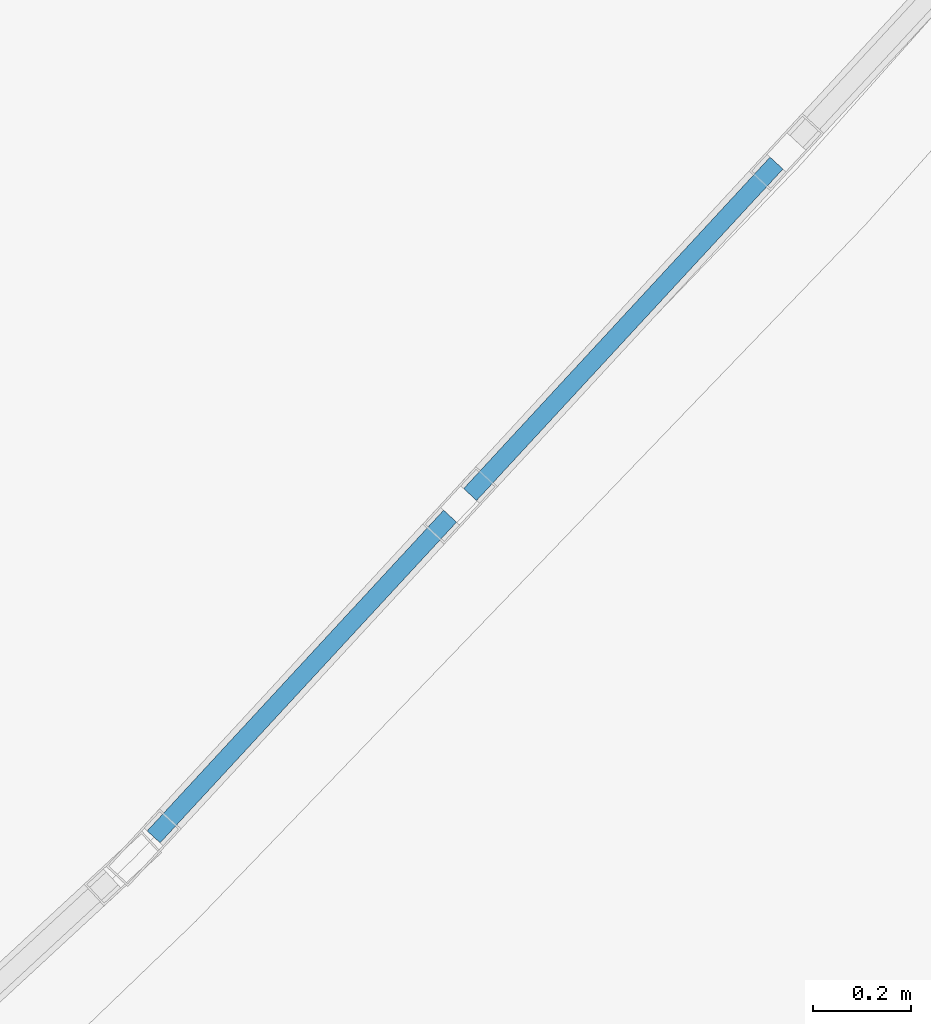
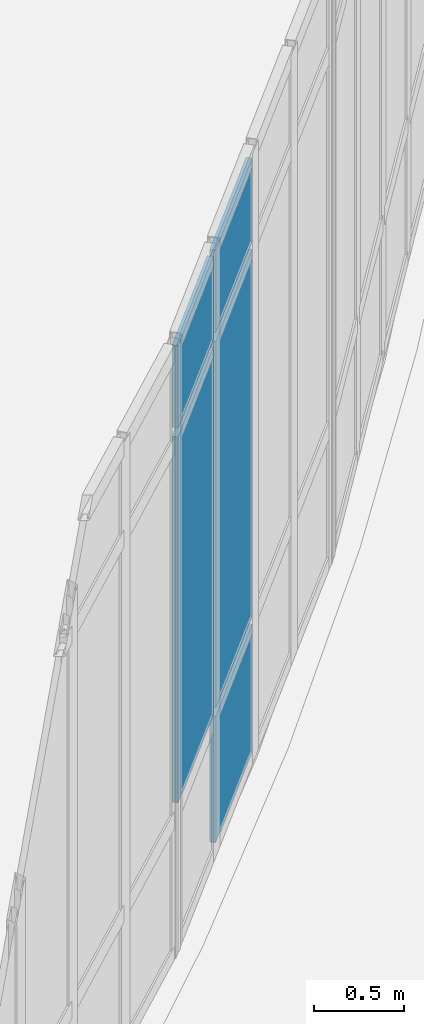
# One storey, part 96 of 134: 5 plates, 1 element without a shape of its own.
"""IFC4 building model written with IfcOpenShell, lengths in metres."""

from ifc_helpers import new_model, si_unit, direction, frame, origin, origin_2d, place, context, subcontext, project, spatial, rectangle, extrude, material, layer, layer_set, type_object, element, aggregate, save


model = new_model("IFC4")

# Units and contexts
model_context = context("Model", 3, precision=1e-05, world=origin(), true_north=direction((0.0, 1.0)))
body_context = subcontext(model_context, "Body", "Model", "MODEL_VIEW")
ifc_project = project(units=[si_unit("LENGTHUNIT", "METRE"), si_unit("AREAUNIT", "SQUARE_METRE"), si_unit("VOLUMEUNIT", "CUBIC_METRE"), si_unit("PLANEANGLEUNIT", "RADIAN"), si_unit("MASSUNIT", "GRAM", prefix="KILO")], contexts=[model_context])

# Site, building, storey
site_placement = place(None, origin())
site = spatial("IfcSite", under=ifc_project, at=site_placement, CompositionType="ELEMENT")
building_placement = place(site_placement, origin())
building = spatial("IfcBuilding", under=site, at=building_placement, Name="Kalluvel Institute of Natural Sciences", CompositionType="ELEMENT")
storey_placement = place(building_placement, frame((0.0, 0.0, 5.39990234375)))
storey = spatial("IfcBuildingStorey", under=building, at=storey_placement, Name="L01", CompositionType="ELEMENT", Elevation=5.39990234375)

# Curtain wall, plates
ifc_material_1 = material(Name="Aluminium AW-6063 T6", Category="aluminium")
curtain_wall_type = type_object("IfcCurtainWallType", Name="CW-ATR-ARC", PredefinedType="USERDEFINED", material=ifc_material_1)
curtain_wall_placement = place(storey_placement, origin())
curtain_wall = element("IfcCurtainWall", 1, at=curtain_wall_placement, inside=storey, type_object=curtain_wall_type, Name="L01 Gothic lancet curtain wall CWA-L01-X709-Y675", ObjectType="UNITISED LANCET FACADE", PredefinedType="USERDEFINED")
ifc_material_2 = material(Name="Solar-Control Low-E Laminated Glass", Category="glass")
ifc_layer = layer(ifc_material_2, 0.035888671875)
ifc_layer_set = layer_set([ifc_layer], Name="Solar-Control Low-E Laminated Glass")
plate_type = type_object("IfcPlateType", Name="CWP-DGU-36", PredefinedType="CURTAIN_PANEL", material=ifc_layer_set)
plate_1_placement = place(storey_placement, frame((71.262939453125, 67.85107421875, 0.97998046875), z_axis=(0.0, 0.0, 1.0), x_axis=(0.678795651006, 0.734327218735, 0.0)))
plate_1 = element("IfcPlate", 2, at=plate_1_placement, type_object=plate_type, Name="CW-05 panel 1.2", PredefinedType="CURTAIN_PANEL", context=body_context, shape_type="SweptSolid", body=[
    extrude(rectangle(XDim=0.890625, YDim=0.035888671875, at=origin_2d()), origin(), (0.0, 0.0, 1.0), 2.489990234375),
])
plate_2_placement = place(storey_placement, frame((71.262939453125, 67.85107421875, 3.530029296875), z_axis=(0.0, 0.0, 1.0), x_axis=(0.678795651006, 0.734327218735, 0.0)))
plate_2 = element("IfcPlate", 3, at=plate_2_placement, type_object=plate_type, Name="CW-05 panel 1.3", PredefinedType="CURTAIN_PANEL", context=body_context, shape_type="SweptSolid", body=[
    extrude(rectangle(XDim=0.890625, YDim=0.035888671875, at=origin_2d()), origin(), (0.0, 0.0, 1.0), 0.56005859375),
])
plate_3_placement = place(storey_placement, frame((71.91845703125, 68.56005859375, 0.06005859375), z_axis=(0.0, 0.0, 1.0), x_axis=(0.678795651006, 0.734327218735, 0.0)))
plate_3 = element("IfcPlate", 4, at=plate_3_placement, type_object=plate_type, Name="CW-05 panel 2.1", PredefinedType="CURTAIN_PANEL", context=body_context, shape_type="SweptSolid", body=[
    extrude(rectangle(XDim=0.92041015625, YDim=0.035888671875, at=origin_2d()), origin(), (0.0, 0.0, 1.0), 0.860107421875),
])
plate_4_placement = place(storey_placement, frame((71.91845703125, 68.56005859375, 0.97998046875), z_axis=(0.0, 0.0, 1.0), x_axis=(0.678795651006, 0.734327218735, 0.0)))
plate_4 = element("IfcPlate", 5, at=plate_4_placement, type_object=plate_type, Name="CW-05 panel 2.2", PredefinedType="CURTAIN_PANEL", context=body_context, shape_type="SweptSolid", body=[
    extrude(rectangle(XDim=0.92041015625, YDim=0.035888671875, at=origin_2d()), origin(), (0.0, 0.0, 1.0), 2.489990234375),
])
plate_5_placement = place(storey_placement, frame((71.91845703125, 68.56005859375, 3.530029296875), z_axis=(0.0, 0.0, 1.0), x_axis=(0.678795651006, 0.734327218735, 0.0)))
plate_5 = element("IfcPlate", 6, at=plate_5_placement, type_object=plate_type, Name="CW-05 panel 2.3", PredefinedType="CURTAIN_PANEL", context=body_context, shape_type="SweptSolid", body=[
    extrude(rectangle(XDim=0.92041015625, YDim=0.035888671875, at=origin_2d()), origin(), (0.0, 0.0, 1.0), 0.56005859375),
])
aggregate(curtain_wall, [plate_1, plate_2, plate_3, plate_4, plate_5])

save(model, "model.ifc")
